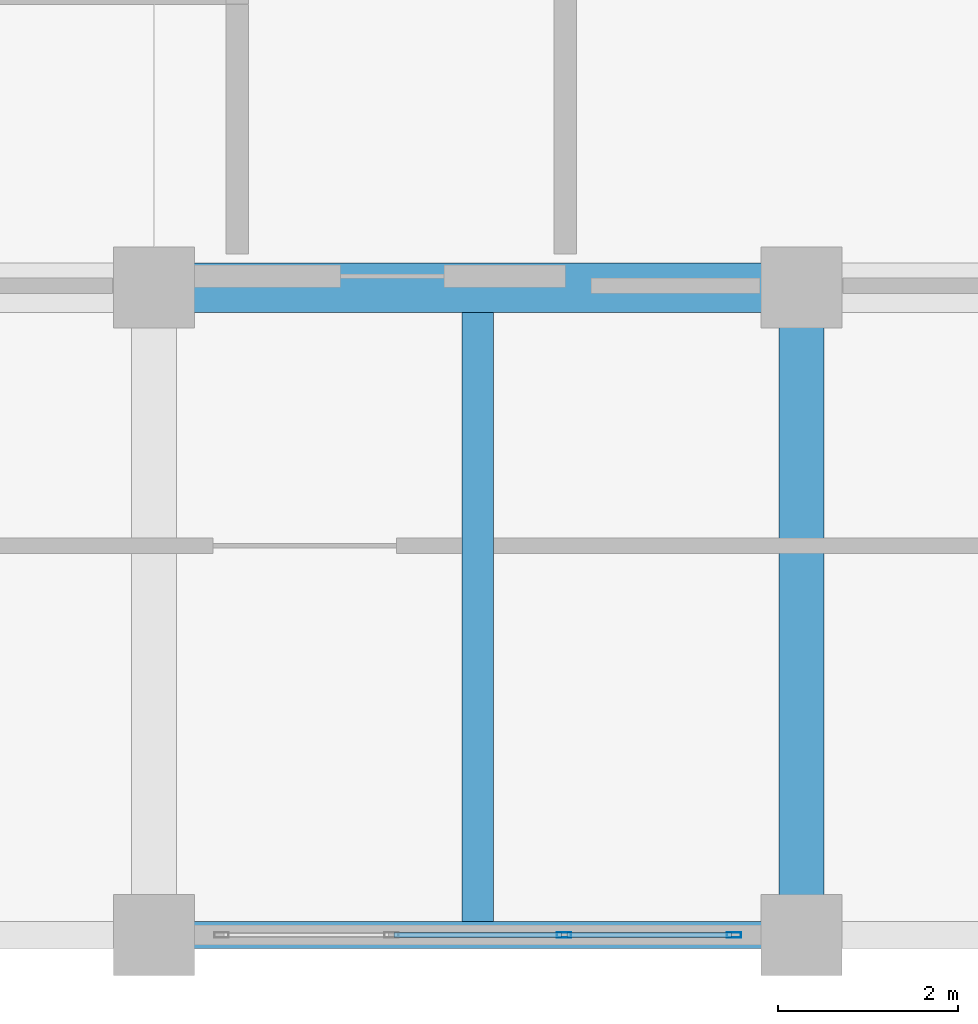
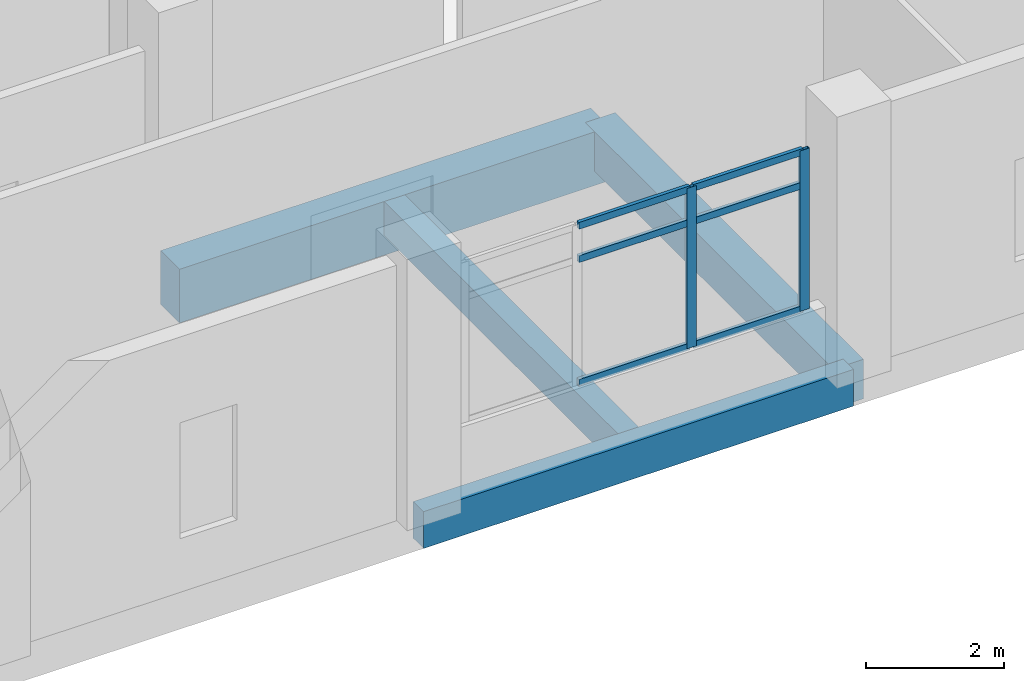
# One storey, part 35 of 181: 8 members, 4 beams, 1 element without a shape of its own.
"""IFC4 building model written with IfcOpenShell, lengths in metres."""

import ifcopenshell
import ifcopenshell.guid

model = None  # the IFC model being written
_history = None  # IfcOwnerHistory: only IFC2X3 demands one
_inside = {}  # id of a spatial element -> (the spatial element, [elements in it])
_under = {}  # id of a project, library or spatial element -> (it, [spatial elements below it])
_declared = {}  # id of a project -> (the project, [libraries it declares])
_typed = {}  # id of a type object -> (the type object, [elements of that type])
_made_of = {}  # id of a material, layer set ... -> (it, [elements and type objects made of it])


def new_model(schema):
    """Start an empty IFC model of exactly this schema.

    Asked for "IFC4X3", IfcOpenShell would pick the latest addendum, in which some entities
    have other attributes; the version numbers below select the first issue.
    IFC2X3 requires an IfcOwnerHistory on every rooted entity: one is made here for all.
    """
    global model, _history
    if schema == "IFC4X3":
        model = ifcopenshell.file(schema_version=(4, 3, 0, 0))
    else:
        model = ifcopenshell.file(schema=schema)
    _inside.clear()
    _under.clear()
    _declared.clear()
    _typed.clear()
    _made_of.clear()
    _history = None
    if model.schema == "IFC2X3":
        org = make("IfcOrganization", Name="unknown")
        user = make(
            "IfcPersonAndOrganization",
            ThePerson=make("IfcPerson", FamilyName="unknown"),
            TheOrganization=org,
        )
        app = make(
            "IfcApplication",
            ApplicationDeveloper=org,
            Version="unknown",
            ApplicationFullName="unknown",
            ApplicationIdentifier="unknown",
        )
        _history = make(
            "IfcOwnerHistory",
            OwningUser=user,
            OwningApplication=app,
            ChangeAction="ADDED",
            CreationDate=0,
        )
    return model


def make(cls, **values):
    """One entity of the class cls with the attributes given. An attribute that is None is left unset."""
    return model.create_entity(
        cls, **{name: value for name, value in values.items() if value is not None}
    )


def rooted(cls, **values):
    """An entity with a GlobalId (a new one), such as an element, a storey or a relation."""
    return make(cls, GlobalId=ifcopenshell.guid.new(), OwnerHistory=_history, **values)


def si_unit(unit_type, name, prefix=None):
    """IfcSIUnit, for example si_unit("LENGTHUNIT", "METRE", prefix="MILLI")."""
    return make("IfcSIUnit", UnitType=unit_type, Prefix=prefix, Name=name)


def assignment(units):
    """IfcUnitAssignment: the units of a project."""
    return None if units is None else make("IfcUnitAssignment", Units=units)


def point(xyz):
    """IfcCartesianPoint."""
    return None if xyz is None else make("IfcCartesianPoint", Coordinates=xyz)


def direction(xyz):
    """IfcDirection."""
    return None if xyz is None else make("IfcDirection", DirectionRatios=xyz)


def frame(location, z_axis=None, x_axis=None):
    """IfcAxis2Placement3D, a coordinate frame: its origin and axes. An axis left out is left unset."""
    return make(
        "IfcAxis2Placement3D",
        Location=point(location),
        Axis=direction(z_axis),
        RefDirection=direction(x_axis),
    )


def frame_2d(location, x_axis=None):
    """IfcAxis2Placement2D, a coordinate frame in the plane: its origin and x axis."""
    return make(
        "IfcAxis2Placement2D", Location=point(location), RefDirection=direction(x_axis)
    )


def origin():
    """The frame at (0, 0, 0) with its axes left unset."""
    return frame((0.0, 0.0, 0.0))


def origin_2d():
    """The frame at (0, 0) in the plane with its x axis left unset."""
    return frame_2d((0.0, 0.0))


def place(relative_to, where):
    """IfcLocalPlacement: puts the frame where relative to a parent placement (None: the world)."""
    return make(
        "IfcLocalPlacement", PlacementRelTo=relative_to, RelativePlacement=where
    )


def context(
    kind, dimensions, precision=None, world=None, true_north=None, identifier=None
):
    """IfcGeometricRepresentationContext, for example the 3D "Model" context."""
    return make(
        "IfcGeometricRepresentationContext",
        ContextIdentifier=identifier,
        ContextType=kind,
        CoordinateSpaceDimension=dimensions,
        Precision=precision,
        WorldCoordinateSystem=world,
        TrueNorth=true_north,
    )


def subcontext(parent, identifier, kind, view, scale=None):
    """IfcGeometricRepresentationSubContext, for example "Body" below "Model"."""
    return make(
        "IfcGeometricRepresentationSubContext",
        ContextIdentifier=identifier,
        ContextType=kind,
        ParentContext=parent,
        TargetScale=scale,
        TargetView=view,
    )


def project(units=None, contexts=None):
    """IfcProject with its units and contexts."""
    return rooted(
        "IfcProject",
        Name="project",
        RepresentationContexts=contexts,
        UnitsInContext=assignment(units),
    )


def spatial(cls, under=None, at=None, **own):
    """A site, building, storey or space (cls), placed at a placement, below another one or the project."""
    s = rooted(cls, ObjectPlacement=at, **own)
    if under is not None:
        _under.setdefault(under.id(), (under, []))[1].append(s)
    return s


def profile(cls, at=None, kind="AREA", **sizes):
    """A parametric profile (cls). Its sizes go by their IFC names, for example OverallWidth=200.0."""
    return make(cls, ProfileType=kind, Position=at, **sizes)


def rectangle(**sizes):
    """IfcRectangleProfileDef."""
    return profile("IfcRectangleProfileDef", **sizes)


def hollow_rectangle(**sizes):
    """IfcRectangleHollowProfileDef."""
    return profile("IfcRectangleHollowProfileDef", **sizes)


def extrude(swept, where, along, depth):
    """IfcExtrudedAreaSolid: the profile swept, set in the frame where, extruded along a direction by depth."""
    return make(
        "IfcExtrudedAreaSolid",
        SweptArea=swept,
        Position=where,
        ExtrudedDirection=direction(along),
        Depth=depth,
    )


def shape(context_of_items, identifier, shape_type, items):
    """IfcShapeRepresentation: the items that make up one representation, for example the "Body"."""
    return make(
        "IfcShapeRepresentation",
        ContextOfItems=context_of_items,
        RepresentationIdentifier=identifier,
        RepresentationType=shape_type,
        Items=items,
    )


def material(Name=None, Category=None):
    """IfcMaterial."""
    return make("IfcMaterial", Name=Name, Category=Category)


def layer(
    of_material, thickness, ventilated=None, Name=None, Category=None, Priority=None
):
    """IfcMaterialLayer: one layer of a wall or slab, of a material (None: an air gap)."""
    return make(
        "IfcMaterialLayer",
        Material=of_material,
        LayerThickness=thickness,
        IsVentilated=ventilated,
        Name=Name,
        Category=Category,
        Priority=Priority,
    )


def layer_set(layers, Name=None):
    """IfcMaterialLayerSet."""
    return make("IfcMaterialLayerSet", MaterialLayers=layers, LayerSetName=Name)


def material_profile(
    of_material, cross_section, Name=None, Category=None, Priority=None
):
    """IfcMaterialProfile: a cross section and its material."""
    return make(
        "IfcMaterialProfile",
        Name=Name,
        Material=of_material,
        Profile=cross_section,
        Priority=Priority,
        Category=Category,
    )


def profile_set(profiles, Name=None, composite=None):
    """IfcMaterialProfileSet."""
    return make(
        "IfcMaterialProfileSet",
        Name=Name,
        MaterialProfiles=profiles,
        CompositeProfile=composite,
    )


def made_of(thing, what):
    """Note that an element or type object is made of a material, layer set ...; save() writes the relation."""
    if what is not None:
        _made_of.setdefault(what.id(), (what, []))[1].append(thing)
    return thing


def type_object(cls, material=None, **own):
    """A type object (cls), such as IfcWallType, which elements share."""
    return made_of(rooted(cls, **own), material)


def element(
    cls,
    number,
    at=None,
    inside=None,
    cuts=None,
    type_object=None,
    material=None,
    context=None,
    identifier="Body",
    shape_type=None,
    held_by="IfcProductDefinitionShape",
    body=None,
    shapes=None,
    **own,
):
    """One element of the class cls, such as IfcWall. Its Tag is "e" and its number.

    at: its placement. inside: the storey or other place that contains it. cuts: it is an
    opening in that element (IfcRelVoidsElement). A single representation is given by context,
    identifier, shape_type and body (its items); several are given by shapes. held_by: the class
    of the entity that holds the representations. save() writes the other relations.
    """
    e = rooted(cls, Tag="e%d" % number, ObjectPlacement=at, **own)
    if body is not None:
        shapes = [shape(context, identifier, shape_type, body)]
    if shapes is not None:
        e.Representation = make(held_by, Representations=shapes)
    if inside is not None:
        _inside.setdefault(inside.id(), (inside, []))[1].append(e)
    if cuts is not None:
        rooted(
            "IfcRelVoidsElement", RelatingBuildingElement=cuts, RelatedOpeningElement=e
        )
    if type_object is not None:
        _typed.setdefault(type_object.id(), (type_object, []))[1].append(e)
    return made_of(e, material)


def aggregate(whole, parts):
    """IfcRelAggregates: a whole, such as a stair, and the parts it consists of."""
    return rooted("IfcRelAggregates", RelatingObject=whole, RelatedObjects=parts)


def save(model, path):
    """Write the relations noted so far, then the file.

    IfcRelAggregates (storeys below a building ...), IfcRelContainedInSpatialStructure (elements
    in a storey), IfcRelDefinesByType, IfcRelAssociatesMaterial and IfcRelDeclares: one each for
    every whole, place, type object, material and project.
    """
    for whole, parts in _under.values():
        aggregate(whole, parts)
    for where, things in _inside.values():
        rooted(
            "IfcRelContainedInSpatialStructure",
            RelatedElements=things,
            RelatingStructure=where,
        )
    for kind, things in _typed.values():
        rooted("IfcRelDefinesByType", RelatedObjects=things, RelatingType=kind)
    for what, things in _made_of.values():
        rooted("IfcRelAssociatesMaterial", RelatedObjects=things, RelatingMaterial=what)
    for by, libraries in _declared.values():
        rooted("IfcRelDeclares", RelatingContext=by, RelatedDefinitions=libraries)
    model.write(path)


model = new_model("IFC4")

# Units and contexts
model_context = context("Model", 3, precision=1e-05, world=origin(), true_north=direction((0.0, 1.0)))
body_context = subcontext(model_context, "Body", "Model", "MODEL_VIEW")
ifc_project = project(units=[si_unit("LENGTHUNIT", "METRE"), si_unit("AREAUNIT", "SQUARE_METRE"), si_unit("VOLUMEUNIT", "CUBIC_METRE"), si_unit("PLANEANGLEUNIT", "RADIAN"), si_unit("MASSUNIT", "GRAM", prefix="KILO")], contexts=[model_context])

# Site, building, storey
site_placement = place(None, origin())
site = spatial("IfcSite", under=ifc_project, at=site_placement, CompositionType="ELEMENT")
building_placement = place(site_placement, origin())
building = spatial("IfcBuilding", under=site, at=building_placement, Name="Seraya Terrace Polytechnic", CompositionType="ELEMENT")
storey_placement = place(building_placement, frame((0.0, 0.0, 4.800048828125)))
storey = spatial("IfcBuildingStorey", under=building, at=storey_placement, Name="L01", CompositionType="ELEMENT", Elevation=4.800048828125)

# Beams
ifc_material_1 = material(Name="Concrete C40/50", Category="concrete")
ifc_material_profile_1 = material_profile(ifc_material_1, rectangle(XDim=0.550048828125, YDim=0.949951171875, at=origin_2d()), Name="RC 550x950")
ifc_profile_set_1 = profile_set([ifc_material_profile_1], Name="Concrete C40/50")
beam_type_1 = type_object("IfcBeamType", Name="BM-03", PredefinedType="BEAM", material=ifc_profile_set_1)
beam_1_placement = place(storey_placement, frame((86.39990234375, 7.199951171875, -0.47509765625), z_axis=(1.0, 0.0, 0.0), x_axis=(0.0, 1.0, 0.0)))
element("IfcBeam", 1, at=beam_1_placement, inside=storey, type_object=beam_type_1, Name="Beam BM-03 L01 X (86.4..93.6, 7.2)", PredefinedType="BEAM", context=body_context, shape_type="SweptSolid", body=[
    extrude(rectangle(XDim=0.550048828125, YDim=0.949951171875, at=origin_2d()), origin(), (0.0, 0.0, 1.0), 7.2001953125),
])
ifc_material_profile_2 = material_profile(ifc_material_1, rectangle(XDim=0.5, YDim=0.699951171875, at=origin_2d()), Name="RC 500x700")
ifc_profile_set_2 = profile_set([ifc_material_profile_2], Name="Concrete C40/50")
beam_type_2 = type_object("IfcBeamType", Name="BM-07", PredefinedType="BEAM", material=ifc_profile_set_2)
beam_2_placement = place(storey_placement, frame((93.60009765625, 0.0, -0.35009765625), z_axis=(0.0, 1.0, 0.0), x_axis=(-1.0, 0.0, 0.0)))
element("IfcBeam", 2, at=beam_2_placement, inside=storey, type_object=beam_type_2, Name="Beam BM-07 L01 Y (93.6, 0.0..7.2)", PredefinedType="BEAM", context=body_context, shape_type="SweptSolid", body=[
    extrude(rectangle(XDim=0.5, YDim=0.699951171875, at=origin_2d()), origin(), (0.0, 0.0, 1.0), 7.199951171875),
])

# Curtain wall, members
ifc_material_2 = material(Name="Anodised aluminium EN AW-6063 T6", Category="aluminium")
ifc_layer = layer(ifc_material_2, 0.179931640625, Name="CW-32")
ifc_layer_set = layer_set([ifc_layer], Name="Anodised aluminium EN AW-6063 T6")
curtain_wall_type = type_object("IfcCurtainWallType", Name="CW-32", PredefinedType="NOTDEFINED", material=ifc_layer_set)
curtain_wall_placement = place(storey_placement, origin())
curtain_wall = element("IfcCurtainWall", 3, at=curtain_wall_placement, inside=storey, type_object=curtain_wall_type, Name="Unitised curtain wall CW-32 (CW-L01-032)", PredefinedType="NOTDEFINED")
ifc_material_profile_3 = material_profile(ifc_material_2, hollow_rectangle(XDim=0.06005859375, YDim=0.159912109375, WallThickness=0.00341796875, at=origin_2d()), Name="RHS 160x60x3.5")
ifc_profile_set_3 = profile_set([ifc_material_profile_3], Name="Anodised aluminium EN AW-6063 T6")
member_type_1 = type_object("IfcMemberType", Name="CWM-02", PredefinedType="MULLION", material=ifc_profile_set_3)
member_1_placement = place(storey_placement, frame((92.85009765625, 0.0, 1.239990234375), z_axis=(0.0, 0.0, 1.0), x_axis=(0.0, -1.0, 0.0)))
member_1 = element("IfcMember", 4, at=member_1_placement, type_object=member_type_1, Name="CW-32 mullion 1", PredefinedType="MULLION", context=body_context, shape_type="SweptSolid", body=[
    extrude(hollow_rectangle(XDim=0.06005859375, YDim=0.159912109375, WallThickness=0.00341796875, at=origin_2d()), origin(), (0.0, 0.0, 1.0), 2.83984375),
])
member_2_placement = place(storey_placement, frame((90.9599609375, 0.0, 1.239990234375), z_axis=(0.0, 0.0, 1.0), x_axis=(0.0, -1.0, 0.0)))
member_2 = element("IfcMember", 5, at=member_2_placement, type_object=member_type_1, Name="CW-32 mullion 2", PredefinedType="MULLION", context=body_context, shape_type="SweptSolid", body=[
    extrude(hollow_rectangle(XDim=0.06005859375, YDim=0.159912109375, WallThickness=0.00341796875, at=origin_2d()), origin(), (0.0, 0.0, 1.0), 2.83984375),
])
ifc_material_profile_4 = material_profile(ifc_material_2, hollow_rectangle(XDim=0.06005859375, YDim=0.1201171875, WallThickness=0.003173828125, at=origin_2d()), Name="RHS 120x60x3.2")
ifc_profile_set_4 = profile_set([ifc_material_profile_4], Name="Anodised aluminium EN AW-6063 T6")
member_type_2 = type_object("IfcMemberType", Name="CWT-02", PredefinedType="USERDEFINED", material=ifc_profile_set_4)
member_3_placement = place(storey_placement, frame((92.820068359375, 0.0, 1.27001953125), z_axis=(-1.0, 0.0, 0.0), x_axis=(0.0, -1.0, 0.0)))
member_3 = element("IfcMember", 6, at=member_3_placement, type_object=member_type_2, Name="CW-32 transom 1.1", ObjectType="TRANSOM", PredefinedType="USERDEFINED", context=body_context, shape_type="SweptSolid", body=[
    extrude(hollow_rectangle(XDim=0.06005859375, YDim=0.1201171875, WallThickness=0.003173828125, at=origin_2d()), origin(), (0.0, 0.0, 1.0), 1.830078125),
])
member_4_placement = place(storey_placement, frame((92.820068359375, 0.0, 3.4599609375), z_axis=(-1.0, 0.0, 0.0), x_axis=(0.0, -1.0, 0.0)))
member_4 = element("IfcMember", 7, at=member_4_placement, type_object=member_type_2, Name="CW-32 transom 1.2", ObjectType="TRANSOM", PredefinedType="USERDEFINED", context=body_context, shape_type="SweptSolid", body=[
    extrude(hollow_rectangle(XDim=0.06005859375, YDim=0.1201171875, WallThickness=0.003173828125, at=origin_2d()), origin(), (0.0, 0.0, 1.0), 1.830078125),
])
member_5_placement = place(storey_placement, frame((92.820068359375, 0.0, 4.050048828125), z_axis=(-1.0, 0.0, 0.0), x_axis=(0.0, -1.0, 0.0)))
member_5 = element("IfcMember", 8, at=member_5_placement, type_object=member_type_2, Name="CW-32 transom 1.3", ObjectType="TRANSOM", PredefinedType="USERDEFINED", context=body_context, shape_type="SweptSolid", body=[
    extrude(hollow_rectangle(XDim=0.06005859375, YDim=0.1201171875, WallThickness=0.003173828125, at=origin_2d()), origin(), (0.0, 0.0, 1.0), 1.830078125),
])
member_6_placement = place(storey_placement, frame((90.929931640625, 0.0, 1.27001953125), z_axis=(-1.0, 0.0, 0.0), x_axis=(0.0, -1.0, 0.0)))
member_6 = element("IfcMember", 9, at=member_6_placement, type_object=member_type_2, Name="CW-32 transom 2.1", ObjectType="TRANSOM", PredefinedType="USERDEFINED", context=body_context, shape_type="SweptSolid", body=[
    extrude(hollow_rectangle(XDim=0.06005859375, YDim=0.1201171875, WallThickness=0.003173828125, at=origin_2d()), origin(), (0.0, 0.0, 1.0), 1.85986328125),
])
member_7_placement = place(storey_placement, frame((90.929931640625, 0.0, 3.4599609375), z_axis=(-1.0, 0.0, 0.0), x_axis=(0.0, -1.0, 0.0)))
member_7 = element("IfcMember", 10, at=member_7_placement, type_object=member_type_2, Name="CW-32 transom 2.2", ObjectType="TRANSOM", PredefinedType="USERDEFINED", context=body_context, shape_type="SweptSolid", body=[
    extrude(hollow_rectangle(XDim=0.06005859375, YDim=0.1201171875, WallThickness=0.003173828125, at=origin_2d()), origin(), (0.0, 0.0, 1.0), 1.85986328125),
])
member_8_placement = place(storey_placement, frame((90.929931640625, 0.0, 4.050048828125), z_axis=(-1.0, 0.0, 0.0), x_axis=(0.0, -1.0, 0.0)))
member_8 = element("IfcMember", 11, at=member_8_placement, type_object=member_type_2, Name="CW-32 transom 2.3", ObjectType="TRANSOM", PredefinedType="USERDEFINED", context=body_context, shape_type="SweptSolid", body=[
    extrude(hollow_rectangle(XDim=0.06005859375, YDim=0.1201171875, WallThickness=0.003173828125, at=origin_2d()), origin(), (0.0, 0.0, 1.0), 1.85986328125),
])
aggregate(curtain_wall, [member_1, member_2, member_3, member_4, member_5, member_6, member_7, member_8])

# Beams
ifc_material_profile_5 = material_profile(ifc_material_1, rectangle(XDim=0.35009765625, YDim=0.60009765625, at=origin_2d()), Name="RC 350x600")
ifc_profile_set_5 = profile_set([ifc_material_profile_5], Name="Concrete C40/50")
beam_type_3 = type_object("IfcBeamType", Name="JS-02", PredefinedType="JOIST", material=ifc_profile_set_5)
beam_3_placement = place(storey_placement, frame((90.0, 0.14990234375, -0.300048828125), z_axis=(0.0, 1.0, 0.0), x_axis=(-1.0, 0.0, 0.0)))
element("IfcBeam", 12, at=beam_3_placement, inside=storey, type_object=beam_type_3, Name="Secondary joist JS-02 L01", PredefinedType="JOIST", context=body_context, shape_type="SweptSolid", body=[
    extrude(rectangle(XDim=0.35009765625, YDim=0.60009765625, at=origin_2d()), origin(), (0.0, 0.0, 1.0), 6.775146484375),
])
ifc_material_profile_6 = material_profile(ifc_material_1, rectangle(XDim=0.300048828125, YDim=0.64990234375, at=origin_2d()), Name="RC 300x650")
ifc_profile_set_6 = profile_set([ifc_material_profile_6], Name="Concrete C40/50")
beam_type_4 = type_object("IfcBeamType", Name="SP-01", PredefinedType="SPANDREL", material=ifc_profile_set_6)
beam_4_placement = place(storey_placement, frame((86.39990234375, 0.0, -0.324951171875), z_axis=(1.0, 0.0, 0.0), x_axis=(0.0, 1.0, 0.0)))
element("IfcBeam", 13, at=beam_4_placement, inside=storey, type_object=beam_type_4, Name="Beam SP-01 L01 X (86.4..93.6, 0.0)", PredefinedType="SPANDREL", context=body_context, shape_type="SweptSolid", body=[
    extrude(rectangle(XDim=0.300048828125, YDim=0.64990234375, at=origin_2d()), origin(), (0.0, 0.0, 1.0), 7.2001953125),
])

save(model, "model.ifc")
